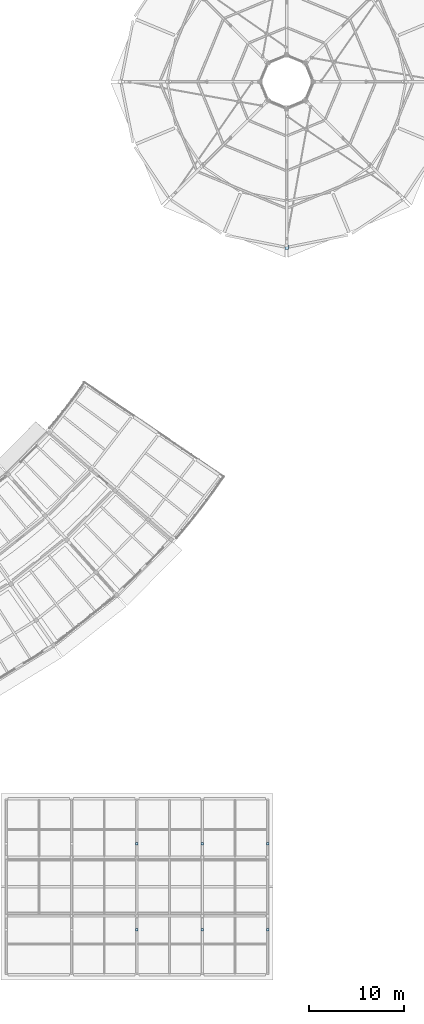
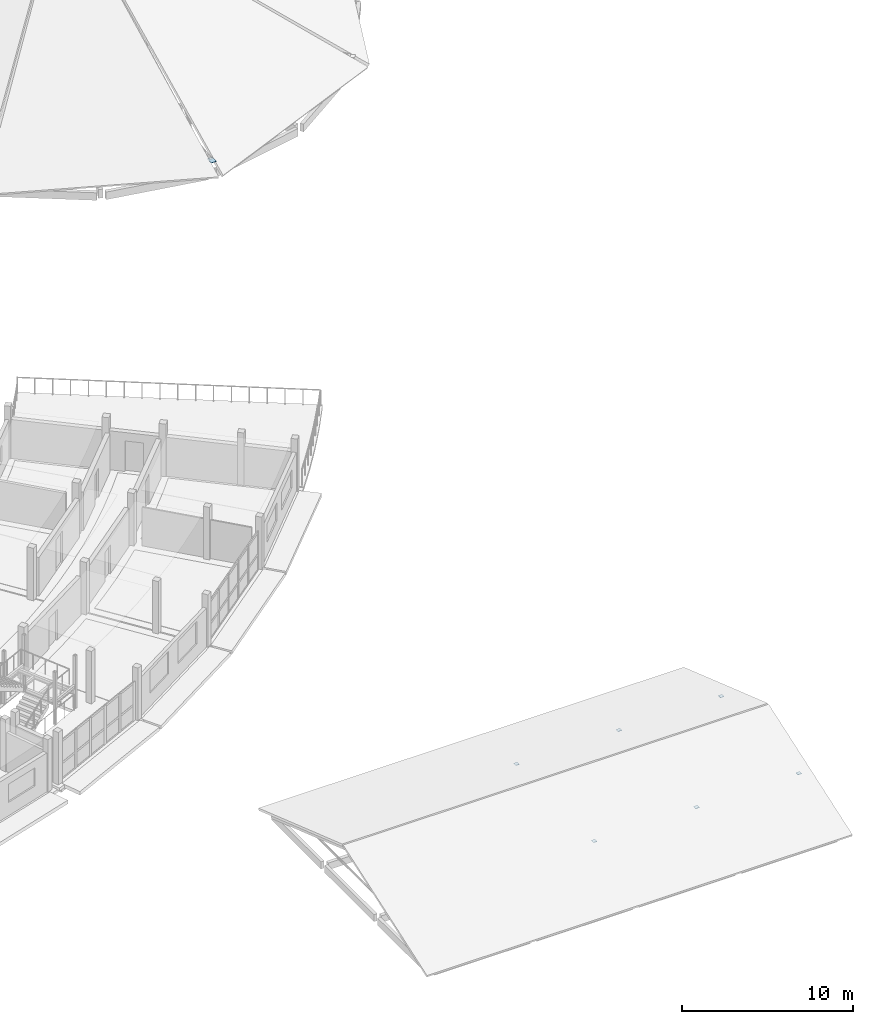
# One storey, part 50 of 66: 7 plates.
"""IFC4 building model written with IfcOpenShell, lengths in metres."""

from ifc_helpers import new_model, si_unit, direction, frame, origin, origin_2d, place, context, subcontext, project, spatial, rectangle, extrude, material, layer, layer_set, type_object, element, save


model = new_model("IFC4")

# Units and contexts
model_context = context("Model", 3, precision=1e-05, world=origin(), true_north=direction((0.0, 1.0)))
body_context = subcontext(model_context, "Body", "Model", "MODEL_VIEW")
ifc_project = project(units=[si_unit("LENGTHUNIT", "METRE"), si_unit("AREAUNIT", "SQUARE_METRE"), si_unit("VOLUMEUNIT", "CUBIC_METRE"), si_unit("PLANEANGLEUNIT", "RADIAN"), si_unit("MASSUNIT", "GRAM", prefix="KILO")], contexts=[model_context])

# Site, building, storey
site_placement = place(None, origin())
site = spatial("IfcSite", under=ifc_project, at=site_placement, CompositionType="ELEMENT")
building_placement = place(site_placement, origin())
building = spatial("IfcBuilding", under=site, at=building_placement, Name="Caldaven Crescent School", CompositionType="ELEMENT")
storey_placement = place(building_placement, frame((0.0, 0.0, 8.159912109375)))
storey = spatial("IfcBuildingStorey", under=building, at=storey_placement, Name="L02", CompositionType="ELEMENT", Elevation=8.159912109375)

# Plates
ifc_material = material(Name="Steel ASTM A572 Grade 50", Category="steel")
ifc_layer_1 = layer(ifc_material, 0.02001953125)
ifc_layer_set_1 = layer_set([ifc_layer_1], Name="Steel ASTM A572 Grade 50")
plate_type_1 = type_object("IfcPlateType", Name="PLT-CAP20", PredefinedType="USERDEFINED", material=ifc_layer_set_1)
for number, where, z_axis, x_axis, name in (
    (1, (136.699951171875, 8.966064453125, 1.150146484375), (0.0, 0.0, 1.0), (0.0, 1.0, 0.0), "PLT-CAP-0173-A"),
    (2, (136.699951171875, 18.033935546875, 1.150146484375), (0.0, 0.0, 1.0), (0.0, 1.0, 0.0), "PLT-CAP-0174-B"),
    (3, (143.60009765625, 8.966064453125, 1.150146484375), (0.0, 0.0, 1.0), (0.0, 1.0, 0.0), "PLT-CAP-0175-A"),
    (4, (143.60009765625, 18.033935546875, 1.150146484375), (0.0, 0.0, 1.0), (0.0, 1.0, 0.0), "PLT-CAP-0176-B"),
    (5, (150.5, 8.966064453125, 1.150146484375), (0.0, 0.0, 1.0), (0.0, 1.0, 0.0), "PLT-CAP-0177-A"),
    (6, (150.5, 18.033935546875, 1.150146484375), (0.0, 0.0, 1.0), (0.0, 1.0, 0.0), "PLT-CAP-0178-B"),
):
    element("IfcPlate", number, at=place(storey_placement, frame(where, z_axis=z_axis, x_axis=x_axis)), inside=storey, type_object=plate_type_1, Name=name, ObjectType="CAP_PLATE", PredefinedType="USERDEFINED", context=body_context, shape_type="SweptSolid", body=[
        extrude(rectangle(XDim=0.260009765625, YDim=0.260009765625, at=origin_2d()), origin(), (0.0, 0.0, 1.0), 0.02001953125),
    ])
ifc_layer_2 = layer(ifc_material, 0.02001953125)
ifc_layer_set_2 = layer_set([ifc_layer_2], Name="Steel ASTM A572 Grade 50")
plate_type_2 = type_object("IfcPlateType", Name="PLT-GUS1", PredefinedType="USERDEFINED", material=ifc_layer_set_2)
plate_placement = place(storey_placement, frame((152.5, 81.0, 0.489990234375), z_axis=(0.0, 0.0, 1.0), x_axis=(0.0, -1.0, 0.0)))
element("IfcPlate", 7, at=plate_placement, inside=storey, type_object=plate_type_2, Name="GUS-V1-06-EAV", ObjectType="GUSSET_PLATE", PredefinedType="USERDEFINED", context=body_context, shape_type="SweptSolid", body=[
    extrude(rectangle(XDim=0.47998046875, YDim=0.360107421875, at=origin_2d()), origin(), (0.0, 0.0, 1.0), 0.02001953125),
])

save(model, "model.ifc")
